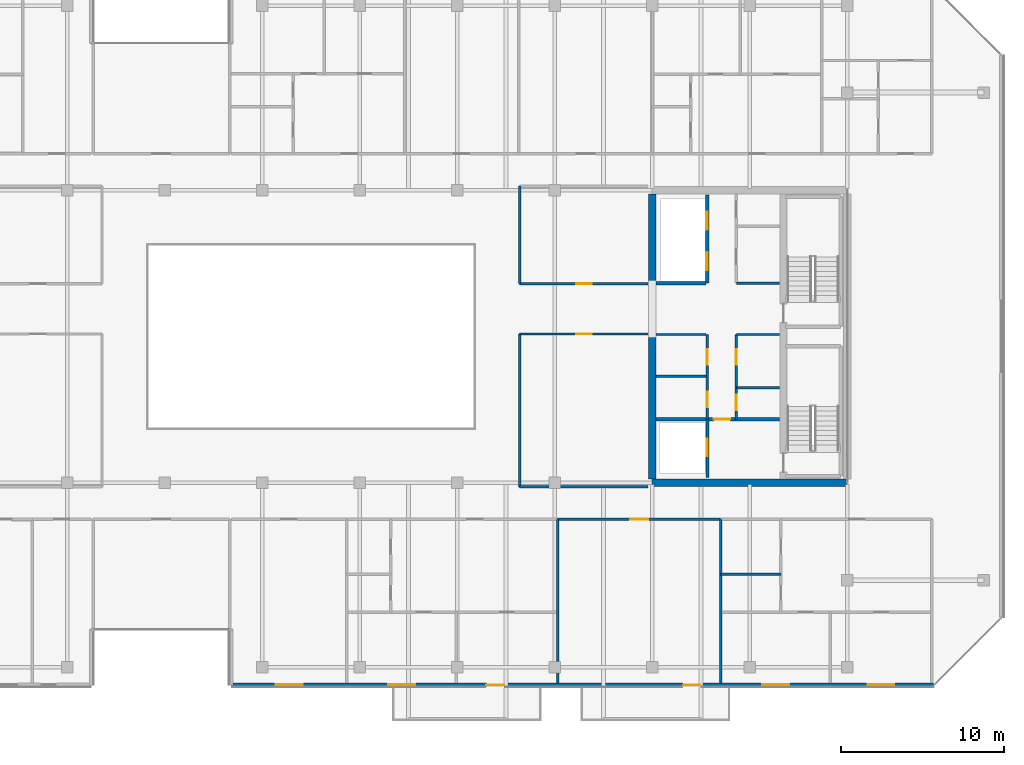
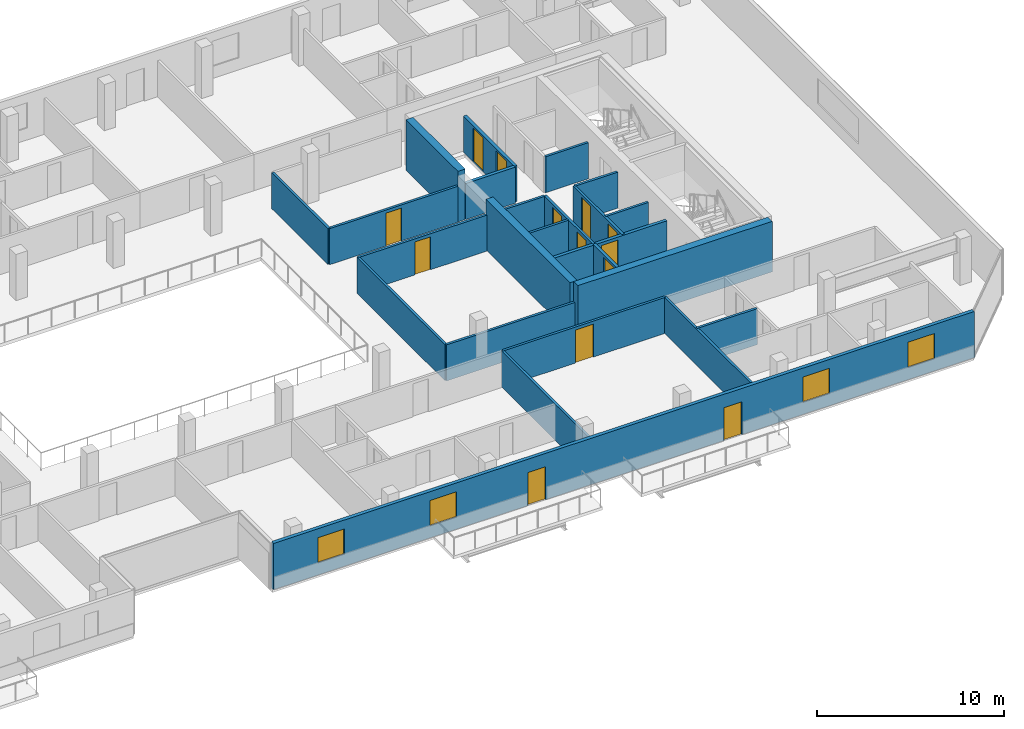
# One storey, part 16 of 24: 24 walls, 13 doors, 4 windows, 17 openings.
"""IFC4 building model written with IfcOpenShell, lengths in metres."""

from ifc_helpers import new_model, si_unit, direction, frame, frame_2d, origin, place, context, subcontext, project, spatial, rectangle, extrude, material, layer, layer_set, type_object, element, fill, save


model = new_model("IFC4")

# Units and contexts
model_context = context("Model", 3, precision=1e-05, world=origin(), true_north=direction((0.0, 1.0)))
body_context = subcontext(model_context, "Body", "Model", "MODEL_VIEW")
ifc_project = project(units=[si_unit("LENGTHUNIT", "METRE"), si_unit("AREAUNIT", "SQUARE_METRE"), si_unit("VOLUMEUNIT", "CUBIC_METRE"), si_unit("PLANEANGLEUNIT", "RADIAN"), si_unit("MASSUNIT", "GRAM", prefix="KILO")], contexts=[model_context])

# Site, building, storey
site_placement = place(None, origin())
site = spatial("IfcSite", under=ifc_project, at=site_placement, CompositionType="ELEMENT")
building_placement = place(site_placement, origin())
building = spatial("IfcBuilding", under=site, at=building_placement, Name="Tanjung Sevakor Pilgrim Tower", CompositionType="ELEMENT")
storey_placement = place(building_placement, frame((0.0, 0.0, 226.050048828125)))
storey = spatial("IfcBuildingStorey", under=building, at=storey_placement, Name="L63", CompositionType="ELEMENT", Elevation=226.050048828125)

# Walls
ifc_material_1 = material(Name="Concrete C60/75", Category="concrete")
ifc_layer_1 = layer(ifc_material_1, 0.449951171875)
ifc_layer_set_1 = layer_set([ifc_layer_1], Name="WALL-CW-450")
wall_type_1 = type_object("IfcWallType", Name="WALL-CW-450", PredefinedType="SHEAR", material=ifc_layer_set_1)
wall_1_placement = place(storey_placement, frame((78.0, 24.60009765625, 0.0), z_axis=(0.0, 0.0, 1.0), x_axis=(1.0, 0.0, 0.0)))
element("IfcWall", 1, at=wall_1_placement, inside=storey, type_object=wall_type_1, Name="L63 E Core South Shear Wall", PredefinedType="SHEAR", context=body_context, shape_type="SweptSolid", body=[
    extrude(rectangle(XDim=12.0, YDim=0.449951171875, at=frame_2d((6.0, 0.0))), origin(), (0.0, 0.0, 1.0), 3.300048828125),
])
wall_2_placement = place(storey_placement, frame((78.0, 24.824951171875, 0.0), z_axis=(0.0, 0.0, 1.0), x_axis=(0.0, 1.0, 0.0)))
element("IfcWall", 2, at=wall_2_placement, inside=storey, type_object=wall_type_1, Name="L63 E Core Inner Shear Wall South", PredefinedType="SHEAR", context=body_context, shape_type="SweptSolid", body=[
    extrude(rectangle(XDim=8.97509765625, YDim=0.449951171875, at=frame_2d((4.487548828125, 0.0))), origin(), (0.0, 0.0, 1.0), 3.300048828125),
])
wall_3_placement = place(storey_placement, frame((78.0, 36.800048828125, 0.0), z_axis=(0.0, 0.0, 1.0), x_axis=(0.0, 1.0, 0.0)))
element("IfcWall", 3, at=wall_3_placement, inside=storey, type_object=wall_type_1, Name="L63 E Core Inner Shear Wall North", PredefinedType="SHEAR", context=body_context, shape_type="SweptSolid", body=[
    extrude(rectangle(XDim=5.574951171875, YDim=0.449951171875, at=frame_2d((2.78759765625, 0.0))), origin(), (0.0, 0.0, 1.0), 3.300048828125),
])
ifc_material_2 = material(Name="Concrete C40/50", Category="concrete")
ifc_layer_2 = layer(ifc_material_2, 0.14990234375)
ifc_layer_set_2 = layer_set([ifc_layer_2], Name="WT-COMP-150")
wall_type_2 = type_object("IfcWallType", Name="WT-COMP-150", PredefinedType="SOLIDWALL", material=ifc_layer_set_2)
for number, where, z_axis, x_axis, name in (
    (4, (83.199951171875, 30.449951171875, 0.0), (0.0, 0.0, 1.0), (1.0, 0.0, 0.0), "L63 Partition IW-L63-016"),
    (5, (83.199951171875, 33.719970703125, 0.0), (0.0, 0.0, 1.0), (1.0, 0.0, 0.0), "L63 Partition IW-L63-017"),
):
    element("IfcWall", number, at=place(storey_placement, frame(where, z_axis=z_axis, x_axis=x_axis)), inside=storey, type_object=wall_type_2, Name=name, PredefinedType="SOLIDWALL", context=body_context, shape_type="SweptSolid", body=[
        extrude(rectangle(XDim=2.630126953125, YDim=0.14990234375, at=frame_2d((1.31494140625, 0.0))), origin(), (0.0, 0.0, 1.0), 2.35009765625),
    ])

# Wall, openings, doors
wall_4_placement = place(storey_placement, frame((83.179931640625, 28.5, 0.0), z_axis=(0.0, 0.0, 1.0), x_axis=(0.0, 1.0, 0.0)))
wall_4 = element("IfcWall", 6, at=wall_4_placement, inside=storey, type_object=wall_type_2, Name="L63 Partition IW-L63-018", PredefinedType="SOLIDWALL", context=body_context, shape_type="SweptSolid", body=[
    extrude(rectangle(XDim=5.219970703125, YDim=0.14990234375, at=frame_2d((2.60986328125, 0.0))), origin(), (0.0, 0.0, 1.0), 2.35009765625),
])
opening_1_placement = place(wall_4_placement, frame((0.550048828125, 0.0, 0.0)))
opening_1 = element("IfcOpeningElement", 7, at=opening_1_placement, cuts=wall_4, Name="Opening ID-FD2", PredefinedType="OPENING", context=body_context, shape_type="SweptSolid", body=[
    extrude(rectangle(XDim=0.949951171875, YDim=2.14990234375, at=frame_2d((0.47509765625, 1.074951171875))), frame((0.0, 0.0849609375, 0.0), z_axis=(0.0, -1.0, 0.0), x_axis=(1.0, 0.0, 0.0)), (0.0, 0.0, 1.0), 0.169921875),
])
opening_2_placement = place(wall_4_placement, frame((3.35009765625, 0.0, 0.0)))
opening_2 = element("IfcOpeningElement", 8, at=opening_2_placement, cuts=wall_4, Name="Opening ID-FD2", PredefinedType="OPENING", context=body_context, shape_type="SweptSolid", body=[
    extrude(rectangle(XDim=0.949951171875, YDim=2.14990234375, at=frame_2d((0.47509765625, 1.074951171875))), frame((0.0, 0.0849609375, 0.0), z_axis=(0.0, -1.0, 0.0), x_axis=(1.0, 0.0, 0.0)), (0.0, 0.0, 1.0), 0.169921875),
])
ifc_material_3 = material(Name="Fire-Rated Timber", Category="wood")
door_type_1 = type_object("IfcDoorType", Name="DT-FIRE-950", OperationType="NOTDEFINED", PredefinedType="DOOR", material=ifc_material_3)
door_1_placement = place(opening_1_placement, origin())
door_1 = element("IfcDoor", 9, at=door_1_placement, inside=storey, type_object=door_type_1, Name="L63 Cleaner Store Door", OperationType="SINGLE_SWING_RIGHT", OverallHeight=2.14990234375, OverallWidth=0.949951171875, PredefinedType="DOOR", context=body_context, shape_type="SweptSolid", body=[
    extrude(rectangle(XDim=0.949951171875, YDim=2.14990234375, at=frame_2d((0.47509765625, 1.074951171875))), frame((0.0, 0.02490234375, 0.0), z_axis=(0.0, -1.0, 0.0), x_axis=(1.0, 0.0, 0.0)), (0.0, 0.0, 1.0), 0.050048828125),
])
fill(opening_1, door_1)
door_2_placement = place(opening_2_placement, origin())
door_2 = element("IfcDoor", 10, at=door_2_placement, inside=storey, type_object=door_type_1, Name="L63 Housekeeping Pantry Door", OperationType="SINGLE_SWING_LEFT", OverallHeight=2.14990234375, OverallWidth=0.949951171875, PredefinedType="DOOR", context=body_context, shape_type="SweptSolid", body=[
    extrude(rectangle(XDim=0.949951171875, YDim=2.14990234375, at=frame_2d((0.47509765625, 1.074951171875))), frame((0.0, 0.02490234375, 0.0), z_axis=(0.0, -1.0, 0.0), x_axis=(1.0, 0.0, 0.0)), (0.0, 0.0, 1.0), 0.050048828125),
])
fill(opening_2, door_2)

# Walls
for number, where, z_axis, x_axis, name in (
    (11, (78.2451171875, 31.14990234375, 0.0), (0.0, 0.0, 1.0), (1.0, 0.0, 0.0), "L63 Partition IW-L63-019"),
    (12, (78.2451171875, 33.719970703125, 0.0), (0.0, 0.0, 1.0), (1.0, 0.0, 0.0), "L63 Partition IW-L63-020"),
):
    element("IfcWall", number, at=place(storey_placement, frame(where, z_axis=z_axis, x_axis=x_axis)), inside=storey, type_object=wall_type_2, Name=name, PredefinedType="SOLIDWALL", context=body_context, shape_type="SweptSolid", body=[
        extrude(rectangle(XDim=3.074951171875, YDim=0.14990234375, at=frame_2d((1.53759765625, 0.0))), origin(), (0.0, 0.0, 1.0), 2.35009765625),
    ])

# Wall, openings, doors
wall_5_placement = place(storey_placement, frame((81.3798828125, 28.5, 0.0), z_axis=(0.0, 0.0, 1.0), x_axis=(0.0, 1.0, 0.0)))
wall_5 = element("IfcWall", 13, at=wall_5_placement, inside=storey, type_object=wall_type_2, Name="L63 Partition IW-L63-021", PredefinedType="SOLIDWALL", context=body_context, shape_type="SweptSolid", body=[
    extrude(rectangle(XDim=5.219970703125, YDim=0.14990234375, at=frame_2d((2.60986328125, 0.0))), origin(), (0.0, 0.0, 1.0), 2.35009765625),
])
opening_3_placement = place(wall_5_placement, frame((0.75, 0.0, 0.0)))
opening_3 = element("IfcOpeningElement", 14, at=opening_3_placement, cuts=wall_5, Name="Opening ID-FD2", PredefinedType="OPENING", context=body_context, shape_type="SweptSolid", body=[
    extrude(rectangle(XDim=0.949951171875, YDim=2.14990234375, at=frame_2d((0.47509765625, 1.074951171875))), frame((0.0, 0.0849609375, 0.0), z_axis=(0.0, -1.0, 0.0), x_axis=(1.0, 0.0, 0.0)), (0.0, 0.0, 1.0), 0.169921875),
])
opening_4_placement = place(wall_5_placement, frame((3.35009765625, 0.0, 0.0)))
opening_4 = element("IfcOpeningElement", 15, at=opening_4_placement, cuts=wall_5, Name="Opening ID-FD2", PredefinedType="OPENING", context=body_context, shape_type="SweptSolid", body=[
    extrude(rectangle(XDim=0.949951171875, YDim=2.14990234375, at=frame_2d((0.47509765625, 1.074951171875))), frame((0.0, 0.0849609375, 0.0), z_axis=(0.0, -1.0, 0.0), x_axis=(1.0, 0.0, 0.0)), (0.0, 0.0, 1.0), 0.169921875),
])
door_3_placement = place(opening_3_placement, origin())
door_3 = element("IfcDoor", 16, at=door_3_placement, inside=storey, type_object=door_type_1, Name="L63 Accessible WC Door", OperationType="SINGLE_SWING_RIGHT", OverallHeight=2.14990234375, OverallWidth=0.949951171875, PredefinedType="DOOR", context=body_context, shape_type="SweptSolid", body=[
    extrude(rectangle(XDim=0.949951171875, YDim=2.14990234375, at=frame_2d((0.47509765625, 1.074951171875))), frame((0.0, 0.02490234375, 0.0), z_axis=(0.0, -1.0, 0.0), x_axis=(1.0, 0.0, 0.0)), (0.0, 0.0, 1.0), 0.050048828125),
])
fill(opening_3, door_3)
door_4_placement = place(opening_4_placement, origin())
door_4 = element("IfcDoor", 17, at=door_4_placement, inside=storey, type_object=door_type_1, Name="L63 Core Service Door", OperationType="SINGLE_SWING_LEFT", OverallHeight=2.14990234375, OverallWidth=0.949951171875, PredefinedType="DOOR", context=body_context, shape_type="SweptSolid", body=[
    extrude(rectangle(XDim=0.949951171875, YDim=2.14990234375, at=frame_2d((0.47509765625, 1.074951171875))), frame((0.0, 0.02490234375, 0.0), z_axis=(0.0, -1.0, 0.0), x_axis=(1.0, 0.0, 0.0)), (0.0, 0.0, 1.0), 0.050048828125),
])
fill(opening_4, door_4)

# Walls
wall_6_placement = place(storey_placement, frame((83.199951171875, 36.8798828125, 0.0), z_axis=(0.0, 0.0, 1.0), x_axis=(1.0, 0.0, 0.0)))
element("IfcWall", 18, at=wall_6_placement, inside=storey, type_object=wall_type_2, Name="L63 Partition IW-L63-022", PredefinedType="SOLIDWALL", context=body_context, shape_type="SweptSolid", body=[
    extrude(rectangle(XDim=2.630126953125, YDim=0.14990234375, at=frame_2d((1.31494140625, 0.0))), origin(), (0.0, 0.0, 1.0), 2.35009765625),
])
wall_7_placement = place(storey_placement, frame((69.85009765625, 24.35009765625, 0.0), z_axis=(0.0, 0.0, 1.0), x_axis=(1.0, 0.0, 0.0)))
element("IfcWall", 19, at=wall_7_placement, inside=storey, type_object=wall_type_2, Name="L63 Partition IW-L63-033", PredefinedType="SOLIDWALL", context=body_context, shape_type="SweptSolid", body=[
    extrude(rectangle(XDim=7.90478515625, YDim=0.14990234375, at=frame_2d((3.952392578125, 0.0))), origin(), (0.0, 0.0, 1.0), 2.35009765625),
])

# Wall, opening, door
wall_8_placement = place(storey_placement, frame((69.85009765625, 33.75, 0.0), z_axis=(0.0, 0.0, 1.0), x_axis=(1.0, 0.0, 0.0)))
wall_8 = element("IfcWall", 20, at=wall_8_placement, inside=storey, type_object=wall_type_2, Name="L63 Partition IW-L63-034", PredefinedType="SOLIDWALL", context=body_context, shape_type="SweptSolid", body=[
    extrude(rectangle(XDim=7.90478515625, YDim=0.14990234375, at=frame_2d((3.952392578125, 0.0))), origin(), (0.0, 0.0, 1.0), 2.35009765625),
])
opening_5_placement = place(wall_8_placement, frame((3.4775390625, 0.0, 0.0)))
opening_5 = element("IfcOpeningElement", 21, at=opening_5_placement, cuts=wall_8, Name="Opening ID-RM1", PredefinedType="OPENING", context=body_context, shape_type="SweptSolid", body=[
    extrude(rectangle(XDim=0.949951171875, YDim=2.14990234375, at=frame_2d((0.47509765625, 1.074951171875))), frame((0.0, 0.0849609375, 0.0), z_axis=(0.0, -1.0, 0.0), x_axis=(1.0, 0.0, 0.0)), (0.0, 0.0, 1.0), 0.169921875),
])
ifc_material_4 = material(Name="Hardwood Timber", Category="wood")
door_type_2 = type_object("IfcDoorType", Name="DT-INT-950", OperationType="NOTDEFINED", PredefinedType="DOOR", material=ifc_material_4)
door_5_placement = place(opening_5_placement, origin())
door_5 = element("IfcDoor", 22, at=door_5_placement, inside=storey, type_object=door_type_2, Name="L63 East Inboard South Door", OperationType="SINGLE_SWING_RIGHT", OverallHeight=2.14990234375, OverallWidth=0.949951171875, PredefinedType="DOOR", context=body_context, shape_type="SweptSolid", body=[
    extrude(rectangle(XDim=0.949951171875, YDim=2.14990234375, at=frame_2d((0.47509765625, 1.074951171875))), frame((0.0, 0.02490234375, 0.0), z_axis=(0.0, -1.0, 0.0), x_axis=(1.0, 0.0, 0.0)), (0.0, 0.0, 1.0), 0.050048828125),
])
fill(opening_5, door_5)

# Wall
wall_9_placement = place(storey_placement, frame((69.85009765625, 24.35009765625, 0.0), z_axis=(0.0, 0.0, 1.0), x_axis=(0.0, 1.0, 0.0)))
element("IfcWall", 23, at=wall_9_placement, inside=storey, type_object=wall_type_2, Name="L63 Partition IW-L63-035", PredefinedType="SOLIDWALL", context=body_context, shape_type="SweptSolid", body=[
    extrude(rectangle(XDim=9.39990234375, YDim=0.14990234375, at=frame_2d((4.699951171875, 0.0))), origin(), (0.0, 0.0, 1.0), 2.35009765625),
])

# Wall, opening, door
wall_10_placement = place(storey_placement, frame((69.85009765625, 36.85009765625, 0.0), z_axis=(0.0, 0.0, 1.0), x_axis=(1.0, 0.0, 0.0)))
wall_10 = element("IfcWall", 24, at=wall_10_placement, inside=storey, type_object=wall_type_2, Name="L63 Partition IW-L63-036", PredefinedType="SOLIDWALL", context=body_context, shape_type="SweptSolid", body=[
    extrude(rectangle(XDim=7.90478515625, YDim=0.14990234375, at=frame_2d((3.952392578125, 0.0))), origin(), (0.0, 0.0, 1.0), 2.35009765625),
])
opening_6_placement = place(wall_10_placement, frame((3.4775390625, 0.0, 0.0)))
opening_6 = element("IfcOpeningElement", 25, at=opening_6_placement, cuts=wall_10, Name="Opening ID-RM1", PredefinedType="OPENING", context=body_context, shape_type="SweptSolid", body=[
    extrude(rectangle(XDim=0.949951171875, YDim=2.14990234375, at=frame_2d((0.47509765625, 1.074951171875))), frame((0.0, 0.0849609375, 0.0), z_axis=(0.0, -1.0, 0.0), x_axis=(1.0, 0.0, 0.0)), (0.0, 0.0, 1.0), 0.169921875),
])
door_6_placement = place(opening_6_placement, origin())
door_6 = element("IfcDoor", 26, at=door_6_placement, inside=storey, type_object=door_type_2, Name="L63 East Inboard North Door", OperationType="SINGLE_SWING_LEFT", OverallHeight=2.14990234375, OverallWidth=0.949951171875, PredefinedType="DOOR", context=body_context, shape_type="SweptSolid", body=[
    extrude(rectangle(XDim=0.949951171875, YDim=2.14990234375, at=frame_2d((0.47509765625, 1.074951171875))), frame((0.0, 0.02490234375, 0.0), z_axis=(0.0, -1.0, 0.0), x_axis=(1.0, 0.0, 0.0)), (0.0, 0.0, 1.0), 0.050048828125),
])
fill(opening_6, door_6)

# Walls
wall_11_placement = place(storey_placement, frame((69.85009765625, 36.85009765625, 0.0), z_axis=(0.0, 0.0, 1.0), x_axis=(0.0, 1.0, 0.0)))
element("IfcWall", 27, at=wall_11_placement, inside=storey, type_object=wall_type_2, Name="L63 Partition IW-L63-038", PredefinedType="SOLIDWALL", context=body_context, shape_type="SweptSolid", body=[
    extrude(rectangle(XDim=6.0, YDim=0.14990234375, at=frame_2d((3.0, 0.0))), origin(), (0.0, 0.0, 1.0), 2.35009765625),
])
for number, where, z_axis, x_axis, name in (
    (28, (72.1845703125, 12.27001953125, 0.0), (0.0, 0.0, 1.0), (0.0, 1.0, 0.0), "L63 Partition IW-L63-059"),
    (29, (82.216796875, 12.27001953125, 0.0), (0.0, 0.0, 1.0), (0.0, 1.0, 0.0), "L63 Partition IW-L63-065"),
):
    element("IfcWall", number, at=place(storey_placement, frame(where, z_axis=z_axis, x_axis=x_axis)), inside=storey, type_object=wall_type_2, Name=name, PredefinedType="SOLIDWALL", context=body_context, shape_type="SweptSolid", body=[
        extrude(rectangle(XDim=10.080078125, YDim=0.14990234375, at=frame_2d((5.0400390625, 0.0))), origin(), (0.0, 0.0, 1.0), 2.35009765625),
    ])

# Wall, opening, door
wall_12_placement = place(storey_placement, frame((72.1845703125, 22.35009765625, 0.0), z_axis=(0.0, 0.0, 1.0), x_axis=(1.0, 0.0, 0.0)))
wall_12 = element("IfcWall", 30, at=wall_12_placement, inside=storey, type_object=wall_type_2, Name="L63 Partition IW-L63-066", PredefinedType="SOLIDWALL", context=body_context, shape_type="SweptSolid", body=[
    extrude(rectangle(XDim=10.0322265625, YDim=0.14990234375, at=frame_2d((5.01611328125, 0.0))), origin(), (0.0, 0.0, 1.0), 2.35009765625),
])
opening_7_placement = place(wall_12_placement, frame((4.466064453125, 0.0, 0.0)))
opening_7 = element("IfcOpeningElement", 31, at=opening_7_placement, cuts=wall_12, Name="Opening ID-FD0", PredefinedType="OPENING", context=body_context, shape_type="SweptSolid", body=[
    extrude(rectangle(XDim=1.10009765625, YDim=2.14990234375, at=frame_2d((0.550048828125, 1.074951171875))), frame((0.0, 0.0849609375, 0.0), z_axis=(0.0, -1.0, 0.0), x_axis=(1.0, 0.0, 0.0)), (0.0, 0.0, 1.0), 0.169921875),
])
ifc_material_5 = material(Name="Fire-Rated Steel S355J2", Category="steel")
door_type_3 = type_object("IfcDoorType", Name="DT-FIRE-1100", OperationType="NOTDEFINED", PredefinedType="DOOR", material=ifc_material_5)
door_7_placement = place(opening_7_placement, origin())
door_7 = element("IfcDoor", 32, at=door_7_placement, inside=storey, type_object=door_type_3, Name="Communal Lounge Door", OperationType="SINGLE_SWING_LEFT", OverallHeight=2.14990234375, OverallWidth=1.10009765625, PredefinedType="DOOR", context=body_context, shape_type="SweptSolid", body=[
    extrude(rectangle(XDim=1.10009765625, YDim=2.14990234375, at=frame_2d((0.550048828125, 1.074951171875))), frame((0.0, 0.02490234375, 0.0), z_axis=(0.0, -1.0, 0.0), x_axis=(1.0, 0.0, 0.0)), (0.0, 0.0, 1.0), 0.050048828125),
])
fill(opening_7, door_7)

# Wall, openings, doors, windows
ifc_material_6 = material(Name="Precast concrete C45/55", Category="concrete")
ifc_layer_3 = layer(ifc_material_6, 0.219970703125)
ifc_layer_set_3 = layer_set([ifc_layer_3], Name="WT-EW-STN4")
wall_type_3 = type_object("IfcWallType", Name="WT-EW-STN4", PredefinedType="SOLIDWALL", material=ifc_layer_set_3)
wall_13_placement = place(storey_placement, frame((52.110107421875, 12.159912109375, 0.0), z_axis=(0.0, 0.0, 1.0), x_axis=(1.0, 0.0, 0.0)))
wall_13 = element("IfcWall", 33, at=wall_13_placement, inside=storey, type_object=wall_type_3, Name="L63 MAIN Exterior Wall 5", PredefinedType="SOLIDWALL", context=body_context, shape_type="SweptSolid", body=[
    extrude(rectangle(XDim=43.244384765625, YDim=0.219970703125, at=frame_2d((21.6220703125, 0.0))), origin(), (0.0, 0.0, 1.0), 3.02001953125),
])
opening_8_placement = place(wall_13_placement, frame((15.68994140625, 0.0, 0.0)))
opening_8 = element("IfcOpeningElement", 34, at=opening_8_placement, cuts=wall_13, Name="Opening ED-BAL-1100", PredefinedType="OPENING", context=body_context, shape_type="SweptSolid", body=[
    extrude(rectangle(XDim=1.10009765625, YDim=2.14990234375, at=frame_2d((0.550048828125, 1.074951171875))), frame((0.0, 0.119873046875, 0.0), z_axis=(0.0, -1.0, 0.0), x_axis=(1.0, 0.0, 0.0)), (0.0, 0.0, 1.0), 0.239990234375),
])
opening_9_placement = place(wall_13_placement, frame((27.7900390625, 0.0, 0.0)))
opening_9 = element("IfcOpeningElement", 35, at=opening_9_placement, cuts=wall_13, Name="Opening ED-BAL-1100", PredefinedType="OPENING", context=body_context, shape_type="SweptSolid", body=[
    extrude(rectangle(XDim=1.10009765625, YDim=2.14990234375, at=frame_2d((0.550048828125, 1.074951171875))), frame((0.0, 0.119873046875, 0.0), z_axis=(0.0, -1.0, 0.0), x_axis=(1.0, 0.0, 0.0)), (0.0, 0.0, 1.0), 0.239990234375),
])
opening_10_placement = place(wall_13_placement, frame((2.725830078125, 0.0, 0.780029296875)))
opening_10 = element("IfcOpeningElement", 36, at=opening_10_placement, cuts=wall_13, Name="Opening WN-Z4-1660", PredefinedType="OPENING", context=body_context, shape_type="SweptSolid", body=[
    extrude(rectangle(XDim=1.64990234375, YDim=1.659912109375, at=frame_2d((0.824951171875, 0.830078125))), frame((0.0, 0.119873046875, 0.0), z_axis=(0.0, -1.0, 0.0), x_axis=(1.0, 0.0, 0.0)), (0.0, 0.0, 1.0), 0.239990234375),
])
opening_11_placement = place(wall_13_placement, frame((9.652099609375, 0.0, 0.780029296875)))
opening_11 = element("IfcOpeningElement", 37, at=opening_11_placement, cuts=wall_13, Name="Opening WN-Z4-1660", PredefinedType="OPENING", context=body_context, shape_type="SweptSolid", body=[
    extrude(rectangle(XDim=1.64990234375, YDim=1.659912109375, at=frame_2d((0.824951171875, 0.830078125))), frame((0.0, 0.119873046875, 0.0), z_axis=(0.0, -1.0, 0.0), x_axis=(1.0, 0.0, 0.0)), (0.0, 0.0, 1.0), 0.239990234375),
])
opening_12_placement = place(wall_13_placement, frame((32.66748046875, 0.0, 0.780029296875)))
opening_12 = element("IfcOpeningElement", 38, at=opening_12_placement, cuts=wall_13, Name="Opening WN-Z4-1660", PredefinedType="OPENING", context=body_context, shape_type="SweptSolid", body=[
    extrude(rectangle(XDim=1.64990234375, YDim=1.659912109375, at=frame_2d((0.824951171875, 0.830078125))), frame((0.0, 0.119873046875, 0.0), z_axis=(0.0, -1.0, 0.0), x_axis=(1.0, 0.0, 0.0)), (0.0, 0.0, 1.0), 0.239990234375),
])
opening_13_placement = place(wall_13_placement, frame((39.138916015625, 0.0, 0.780029296875)))
opening_13 = element("IfcOpeningElement", 39, at=opening_13_placement, cuts=wall_13, Name="Opening WN-Z4-1660", PredefinedType="OPENING", context=body_context, shape_type="SweptSolid", body=[
    extrude(rectangle(XDim=1.64990234375, YDim=1.659912109375, at=frame_2d((0.824951171875, 0.830078125))), frame((0.0, 0.119873046875, 0.0), z_axis=(0.0, -1.0, 0.0), x_axis=(1.0, 0.0, 0.0)), (0.0, 0.0, 1.0), 0.239990234375),
])
ifc_material_7 = material(Name="Anodised Aluminium and Laminated Glass", Category="aluminium")
door_type_4 = type_object("IfcDoorType", Name="DTYP-ED-BAL-1100", OperationType="NOTDEFINED", PredefinedType="DOOR", material=ifc_material_7)
door_8_placement = place(opening_8_placement, frame((1.10009765625, 0.0, 0.0), z_axis=(0.0, 0.0, 1.0), x_axis=(-1.0, 0.0, 0.0)))
door_8 = element("IfcDoor", 40, at=door_8_placement, inside=storey, type_object=door_type_4, Name="L63 Balcony Door MAIN-S2", OperationType="SINGLE_SWING_RIGHT", OverallHeight=2.14990234375, OverallWidth=1.10009765625, PredefinedType="DOOR", context=body_context, shape_type="SweptSolid", body=[
    extrude(rectangle(XDim=1.10009765625, YDim=2.14990234375, at=frame_2d((0.550048828125, 1.074951171875))), frame((0.0, 0.02490234375, 0.0), z_axis=(0.0, -1.0, 0.0), x_axis=(1.0, 0.0, 0.0)), (0.0, 0.0, 1.0), 0.050048828125),
])
fill(opening_8, door_8)
door_9_placement = place(opening_9_placement, frame((1.10009765625, 0.0, 0.0), z_axis=(0.0, 0.0, 1.0), x_axis=(-1.0, 0.0, 0.0)))
door_9 = element("IfcDoor", 41, at=door_9_placement, inside=storey, type_object=door_type_4, Name="L63 Balcony Door MAIN-S3", OperationType="SINGLE_SWING_LEFT", OverallHeight=2.14990234375, OverallWidth=1.10009765625, PredefinedType="DOOR", context=body_context, shape_type="SweptSolid", body=[
    extrude(rectangle(XDim=1.10009765625, YDim=2.14990234375, at=frame_2d((0.550048828125, 1.074951171875))), frame((0.0, 0.02490234375, 0.0), z_axis=(0.0, -1.0, 0.0), x_axis=(1.0, 0.0, 0.0)), (0.0, 0.0, 1.0), 0.050048828125),
])
fill(opening_9, door_9)
ifc_material_8 = material(Name="Thermally Broken Aluminium and Low-E Glass", Category="aluminium")
window_type = type_object("IfcWindowType", Name="WTYP-WN-Z4-1660", PartitioningType="DOUBLE_PANEL_VERTICAL", PredefinedType="WINDOW", material=ifc_material_8)
window_1_placement = place(opening_10_placement, origin())
window_1 = element("IfcWindow", 42, at=window_1_placement, inside=storey, type_object=window_type, Name="L63 Facade Window 01", OverallHeight=1.659912109375, OverallWidth=1.64990234375, PartitioningType="SINGLE_PANEL", PredefinedType="WINDOW", context=body_context, shape_type="SweptSolid", body=[
    extrude(rectangle(XDim=1.64990234375, YDim=1.659912109375, at=frame_2d((0.824951171875, 0.830078125))), frame((0.0, 0.030029296875, 0.0), z_axis=(0.0, -1.0, 0.0), x_axis=(1.0, 0.0, 0.0)), (0.0, 0.0, 1.0), 0.06005859375),
])
fill(opening_10, window_1)
window_2_placement = place(opening_11_placement, origin())
window_2 = element("IfcWindow", 43, at=window_2_placement, inside=storey, type_object=window_type, Name="L63 Facade Window 02", OverallHeight=1.659912109375, OverallWidth=1.64990234375, PartitioningType="SINGLE_PANEL", PredefinedType="WINDOW", context=body_context, shape_type="SweptSolid", body=[
    extrude(rectangle(XDim=1.64990234375, YDim=1.659912109375, at=frame_2d((0.824951171875, 0.830078125))), frame((0.0, 0.030029296875, 0.0), z_axis=(0.0, -1.0, 0.0), x_axis=(1.0, 0.0, 0.0)), (0.0, 0.0, 1.0), 0.06005859375),
])
fill(opening_11, window_2)
window_3_placement = place(opening_12_placement, origin())
window_3 = element("IfcWindow", 44, at=window_3_placement, inside=storey, type_object=window_type, Name="L63 Facade Window 03", OverallHeight=1.659912109375, OverallWidth=1.64990234375, PartitioningType="SINGLE_PANEL", PredefinedType="WINDOW", context=body_context, shape_type="SweptSolid", body=[
    extrude(rectangle(XDim=1.64990234375, YDim=1.659912109375, at=frame_2d((0.824951171875, 0.830078125))), frame((0.0, 0.030029296875, 0.0), z_axis=(0.0, -1.0, 0.0), x_axis=(1.0, 0.0, 0.0)), (0.0, 0.0, 1.0), 0.06005859375),
])
fill(opening_12, window_3)
window_4_placement = place(opening_13_placement, origin())
window_4 = element("IfcWindow", 45, at=window_4_placement, inside=storey, type_object=window_type, Name="L63 Facade Window 04", OverallHeight=1.659912109375, OverallWidth=1.64990234375, PartitioningType="SINGLE_PANEL", PredefinedType="WINDOW", context=body_context, shape_type="SweptSolid", body=[
    extrude(rectangle(XDim=1.64990234375, YDim=1.659912109375, at=frame_2d((0.824951171875, 0.830078125))), frame((0.0, 0.030029296875, 0.0), z_axis=(0.0, -1.0, 0.0), x_axis=(1.0, 0.0, 0.0)), (0.0, 0.0, 1.0), 0.06005859375),
])
fill(opening_13, window_4)

# Wall, opening, door
ifc_material_9 = material(Name="Concrete C40/50", Category="concrete")
ifc_layer_4 = layer(ifc_material_9, 0.199951171875)
ifc_layer_set_4 = layer_set([ifc_layer_4], Name="WT-FPRT-200")
wall_type_4 = type_object("IfcWallType", Name="WT-FPRT-200", PredefinedType="SOLIDWALL", material=ifc_layer_set_4)
wall_14_placement = place(storey_placement, frame((81.39990234375, 24.919921875, 0.0), z_axis=(0.0, 0.0, 1.0), x_axis=(0.0, 1.0, 0.0)))
wall_14 = element("IfcWall", 46, at=wall_14_placement, inside=storey, type_object=wall_type_4, Name="L63 Partition IW-L63-014", PredefinedType="SOLIDWALL", context=body_context, shape_type="SweptSolid", body=[
    extrude(rectangle(XDim=3.580078125, YDim=0.199951171875, at=frame_2d((1.7900390625, 0.0))), origin(), (0.0, 0.0, 1.0), 2.35009765625),
])
opening_14_placement = place(wall_14_placement, frame((1.300048828125, 0.0, 0.0)))
opening_14 = element("IfcOpeningElement", 47, at=opening_14_placement, cuts=wall_14, Name="Opening LD-1100", PredefinedType="OPENING", context=body_context, shape_type="SweptSolid", body=[
    extrude(rectangle(XDim=1.10009765625, YDim=2.199951171875, at=frame_2d((0.550048828125, 1.10009765625))), frame((0.0, 0.10986328125, 0.0), z_axis=(0.0, -1.0, 0.0), x_axis=(1.0, 0.0, 0.0)), (0.0, 0.0, 1.0), 0.219970703125),
])
ifc_material_10 = material(Name="Brushed Stainless Steel S355J2", Category="steel")
door_type_5 = type_object("IfcDoorType", Name="DT-LIFT-1100", OperationType="SLIDING_TO_LEFT", PredefinedType="DOOR", material=ifc_material_10)
door_10_placement = place(opening_14_placement, origin())
door_10 = element("IfcDoor", 48, at=door_10_placement, inside=storey, type_object=door_type_5, Name="LD-FL-E", OperationType="SLIDING_TO_LEFT", OverallHeight=2.199951171875, OverallWidth=1.10009765625, PredefinedType="DOOR", context=body_context, shape_type="SweptSolid", body=[
    extrude(rectangle(XDim=1.10009765625, YDim=2.199951171875, at=frame_2d((0.550048828125, 1.10009765625))), frame((0.0, 0.02490234375, 0.0), z_axis=(0.0, -1.0, 0.0), x_axis=(1.0, 0.0, 0.0)), (0.0, 0.0, 1.0), 0.050048828125),
])
fill(opening_14, door_10)

wall_15_placement = place(storey_placement, frame((78.2451171875, 28.5, 0.0), z_axis=(0.0, 0.0, 1.0), x_axis=(1.0, 0.0, 0.0)))
wall_15 = element("IfcWall", 49, at=wall_15_placement, inside=storey, type_object=wall_type_4, Name="L63 Partition IW-L63-015", PredefinedType="SOLIDWALL", context=body_context, shape_type="SweptSolid", body=[
    extrude(rectangle(XDim=7.5849609375, YDim=0.199951171875, at=frame_2d((3.79248046875, 0.0))), origin(), (0.0, 0.0, 1.0), 2.35009765625),
])
opening_15_placement = place(wall_15_placement, frame((3.554931640625, 0.0, 0.0)))
opening_15 = element("IfcOpeningElement", 50, at=opening_15_placement, cuts=wall_15, Name="Opening ID-FD1", PredefinedType="OPENING", context=body_context, shape_type="SweptSolid", body=[
    extrude(rectangle(XDim=1.0, YDim=2.14990234375, at=frame_2d((0.5, 1.074951171875))), frame((0.0, 0.10986328125, 0.0), z_axis=(0.0, -1.0, 0.0), x_axis=(1.0, 0.0, 0.0)), (0.0, 0.0, 1.0), 0.219970703125),
])
ifc_material_11 = material(Name="Fire-Rated Steel S355J2", Category="steel")
door_type_6 = type_object("IfcDoorType", Name="DT-FIRE-1000", OperationType="NOTDEFINED", PredefinedType="DOOR", material=ifc_material_11)
door_11_placement = place(opening_15_placement, origin())
door_11 = element("IfcDoor", 51, at=door_11_placement, inside=storey, type_object=door_type_6, Name="Fire Lobby Door E", OperationType="SINGLE_SWING_LEFT", OverallHeight=2.14990234375, OverallWidth=1.0, PredefinedType="DOOR", context=body_context, shape_type="SweptSolid", body=[
    extrude(rectangle(XDim=1.0, YDim=2.14990234375, at=frame_2d((0.5, 1.074951171875))), frame((0.0, 0.02490234375, 0.0), z_axis=(0.0, -1.0, 0.0), x_axis=(1.0, 0.0, 0.0)), (0.0, 0.0, 1.0), 0.050048828125),
])
fill(opening_15, door_11)

# Wall
wall_16_placement = place(storey_placement, frame((78.2451171875, 36.8798828125, 0.0), z_axis=(0.0, 0.0, 1.0), x_axis=(1.0, 0.0, 0.0)))
element("IfcWall", 52, at=wall_16_placement, inside=storey, type_object=wall_type_4, Name="L63 Partition IW-L63-025", PredefinedType="SOLIDWALL", context=body_context, shape_type="SweptSolid", body=[
    extrude(rectangle(XDim=3.074951171875, YDim=0.199951171875, at=frame_2d((1.53759765625, 0.0))), origin(), (0.0, 0.0, 1.0), 2.35009765625),
])

# Wall, openings, doors
wall_17_placement = place(storey_placement, frame((81.3798828125, 36.8798828125, 0.0), z_axis=(0.0, 0.0, 1.0), x_axis=(0.0, 1.0, 0.0)))
wall_17 = element("IfcWall", 53, at=wall_17_placement, inside=storey, type_object=wall_type_4, Name="L63 Partition IW-L63-026", PredefinedType="SOLIDWALL", context=body_context, shape_type="SweptSolid", body=[
    extrude(rectangle(XDim=5.420166015625, YDim=0.199951171875, at=frame_2d((2.7099609375, 0.0))), origin(), (0.0, 0.0, 1.0), 2.35009765625),
])
opening_16_placement = place(wall_17_placement, frame((0.800048828125, 0.0, 0.0)))
opening_16 = element("IfcOpeningElement", 54, at=opening_16_placement, cuts=wall_17, Name="Opening LD-1100", PredefinedType="OPENING", context=body_context, shape_type="SweptSolid", body=[
    extrude(rectangle(XDim=1.10009765625, YDim=2.199951171875, at=frame_2d((0.550048828125, 1.10009765625))), frame((0.0, 0.10986328125, 0.0), z_axis=(0.0, -1.0, 0.0), x_axis=(1.0, 0.0, 0.0)), (0.0, 0.0, 1.0), 0.219970703125),
])
opening_17_placement = place(wall_17_placement, frame((3.300048828125, 0.0, 0.0)))
opening_17 = element("IfcOpeningElement", 55, at=opening_17_placement, cuts=wall_17, Name="Opening LD-1100", PredefinedType="OPENING", context=body_context, shape_type="SweptSolid", body=[
    extrude(rectangle(XDim=1.10009765625, YDim=2.199951171875, at=frame_2d((0.550048828125, 1.10009765625))), frame((0.0, 0.10986328125, 0.0), z_axis=(0.0, -1.0, 0.0), x_axis=(1.0, 0.0, 0.0)), (0.0, 0.0, 1.0), 0.219970703125),
])
door_12_placement = place(opening_16_placement, origin())
door_12 = element("IfcDoor", 56, at=door_12_placement, inside=storey, type_object=door_type_5, Name="LD-PLH1-E", OperationType="SLIDING_TO_LEFT", OverallHeight=2.199951171875, OverallWidth=1.10009765625, PredefinedType="DOOR", context=body_context, shape_type="SweptSolid", body=[
    extrude(rectangle(XDim=1.10009765625, YDim=2.199951171875, at=frame_2d((0.550048828125, 1.10009765625))), frame((0.0, 0.02490234375, 0.0), z_axis=(0.0, -1.0, 0.0), x_axis=(1.0, 0.0, 0.0)), (0.0, 0.0, 1.0), 0.050048828125),
])
fill(opening_16, door_12)
door_13_placement = place(opening_17_placement, origin())
door_13 = element("IfcDoor", 57, at=door_13_placement, inside=storey, type_object=door_type_5, Name="LD-PLH2-E", OperationType="SLIDING_TO_RIGHT", OverallHeight=2.199951171875, OverallWidth=1.10009765625, PredefinedType="DOOR", context=body_context, shape_type="SweptSolid", body=[
    extrude(rectangle(XDim=1.10009765625, YDim=2.199951171875, at=frame_2d((0.550048828125, 1.10009765625))), frame((0.0, 0.02490234375, 0.0), z_axis=(0.0, -1.0, 0.0), x_axis=(1.0, 0.0, 0.0)), (0.0, 0.0, 1.0), 0.050048828125),
])
fill(opening_17, door_13)

# Wall
ifc_material_12 = material(Name="Gypsum Board Partition", Category="gypsum board")
ifc_layer_5 = layer(ifc_material_12, 0.14990234375)
ifc_layer_set_5 = layer_set([ifc_layer_5], Name="WT-PART-150")
wall_type_5 = type_object("IfcWallType", Name="WT-PART-150", PredefinedType="PARTITIONING", material=ifc_layer_set_5)
wall_18_placement = place(storey_placement, frame((82.216796875, 18.98095703125, 0.0), z_axis=(0.0, 0.0, 1.0), x_axis=(1.0, 0.0, 0.0)))
element("IfcWall", 58, at=wall_18_placement, inside=storey, type_object=wall_type_5, Name="L63 Partition IW-L63-067", PredefinedType="PARTITIONING", context=body_context, shape_type="SweptSolid", body=[
    extrude(rectangle(XDim=3.703125, YDim=0.14990234375, at=frame_2d((1.8515625, 0.0))), origin(), (0.0, 0.0, 1.0), 2.35009765625),
])

save(model, "model.ifc")
